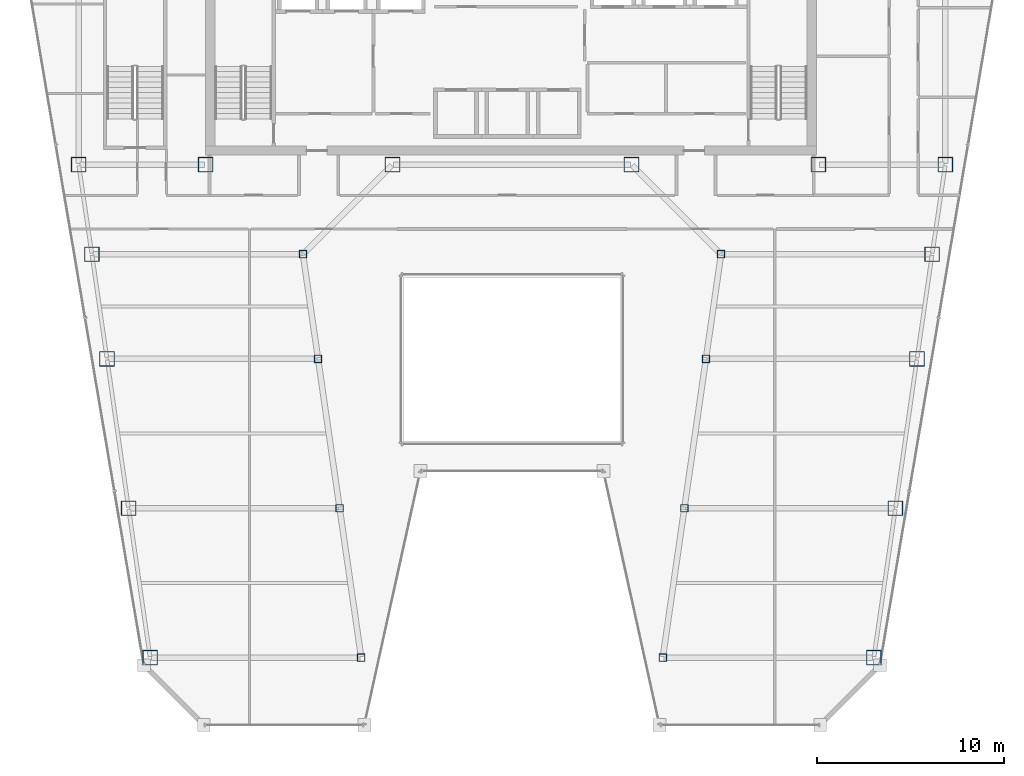
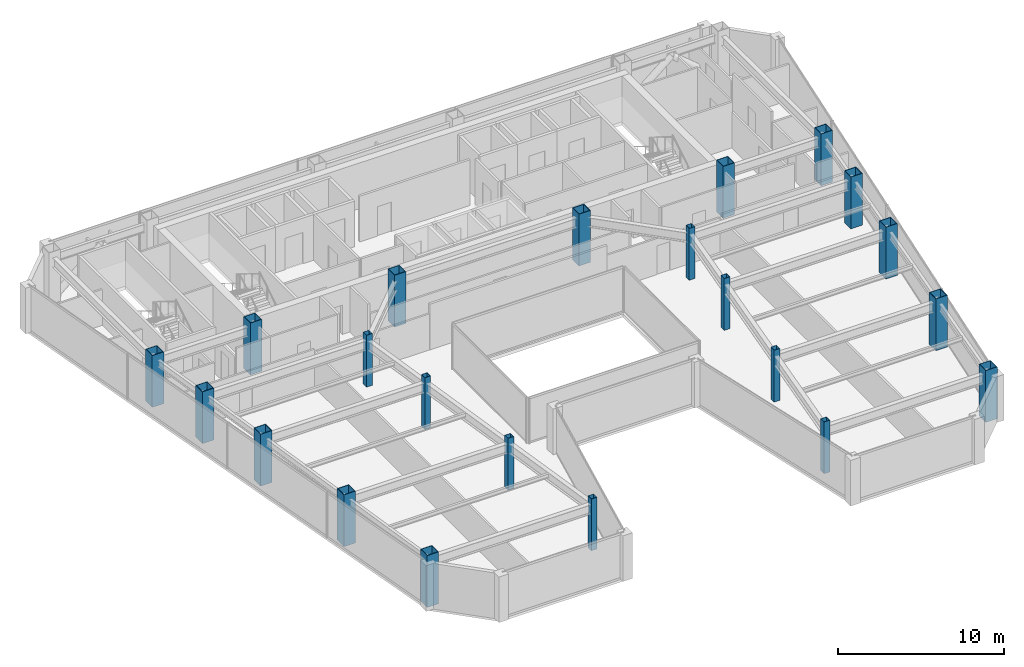
# One storey, part 1 of 34: 22 columns.
"""IFC4 building model written with IfcOpenShell, lengths in metres."""

from ifc_helpers import new_model, si_unit, direction, frame, origin, origin_2d, place, context, subcontext, project, spatial, hollow_rectangle, extrude, material, material_profile, profile_set, type_object, element, save


model = new_model("IFC4")

# Units and contexts
model_context = context("Model", 3, precision=1e-05, world=origin(), true_north=direction((0.0, 1.0)))
body_context = subcontext(model_context, "Body", "Model", "MODEL_VIEW")
ifc_project = project(units=[si_unit("LENGTHUNIT", "METRE"), si_unit("AREAUNIT", "SQUARE_METRE"), si_unit("VOLUMEUNIT", "CUBIC_METRE"), si_unit("PLANEANGLEUNIT", "RADIAN"), si_unit("MASSUNIT", "GRAM", prefix="KILO")], contexts=[model_context])

# Site, building, storey
site_placement = place(None, origin())
site = spatial("IfcSite", under=ifc_project, at=site_placement, CompositionType="ELEMENT")
building_placement = place(site_placement, origin())
building = spatial("IfcBuilding", under=site, at=building_placement, Name="Saevonmaru Cultural Tower", CompositionType="ELEMENT")
storey_placement = place(building_placement, frame((0.0, 0.0, 220.800048828125)))
storey = spatial("IfcBuildingStorey", under=building, at=storey_placement, Name="L51", CompositionType="ELEMENT", Elevation=220.800048828125)

# Columns
ifc_material_1 = material(Name="Steel SM420", Category="steel")
ifc_material_profile_1 = material_profile(ifc_material_1, hollow_rectangle(XDim=0.800048828125, YDim=0.800048828125, WallThickness=0.035888671875, at=origin_2d()), Name="BOX-800x800x36")
ifc_profile_set_1 = profile_set([ifc_material_profile_1], Name="Steel SM420")
column_type_1 = type_object("IfcColumnType", Name="COL-BOX-800", PredefinedType="COLUMN", material=ifc_profile_set_1)
for number, where, z_axis, x_axis, name in (
    (1, (6.800048828125, 42.39990234375, 0.0), (0.0, 0.0, 1.0), (1.0, 0.0, 0.0), "L51 Column TC-S1C"),
    (2, (13.60009765625, 42.39990234375, 0.0), (0.0, 0.0, 1.0), (1.0, 0.0, 0.0), "L51 Column TC-S2C"),
    (3, (23.60009765625, 42.39990234375, 0.0), (0.0, 0.0, 1.0), (1.0, 0.0, 0.0), "L51 Column TC-S3C"),
    (4, (36.39990234375, 42.39990234375, 0.0), (0.0, 0.0, 1.0), (1.0, 0.0, 0.0), "L51 Column TC-S4C"),
    (5, (46.39990234375, 42.39990234375, 0.0), (0.0, 0.0, 1.0), (1.0, 0.0, 0.0), "L51 Column TC-S5C"),
    (6, (53.199951171875, 42.39990234375, 0.0), (0.0, 0.0, 1.0), (1.0, 0.0, 0.0), "L51 Column TC-S6C"),
    (7, (10.6279296875, 16.0, 0.0), (0.0, 0.0, 1.0), (1.0, 0.0, 0.0), "L51 Column TC-WO-Y160"),
    (8, (49.3720703125, 16.0, 0.0), (0.0, 0.0, 1.0), (1.0, 0.0, 0.0), "L51 Column TC-EO-Y160"),
    (9, (9.471923828125, 24.0, 0.0), (0.0, 0.0, 1.0), (1.0, 0.0, 0.0), "L51 Column TC-WO-Y240"),
    (10, (50.528076171875, 24.0, 0.0), (0.0, 0.0, 1.0), (1.0, 0.0, 0.0), "L51 Column TC-EO-Y240"),
    (11, (8.31689453125, 32.0, 0.0), (0.0, 0.0, 1.0), (1.0, 0.0, 0.0), "L51 Column TC-WO-Y320"),
    (12, (51.68310546875, 32.0, 0.0), (0.0, 0.0, 1.0), (1.0, 0.0, 0.0), "L51 Column TC-EO-Y320"),
    (13, (7.508056640625, 37.60009765625, 0.0), (0.0, 0.0, 1.0), (1.0, 0.0, 0.0), "L51 Column TC-WO-Y376"),
    (14, (52.491943359375, 37.60009765625, 0.0), (0.0, 0.0, 1.0), (1.0, 0.0, 0.0), "L51 Column TC-EO-Y376"),
):
    element("IfcColumn", number, at=place(storey_placement, frame(where, z_axis=z_axis, x_axis=x_axis)), inside=storey, type_object=column_type_1, Name=name, PredefinedType="COLUMN", context=body_context, shape_type="SweptSolid", body=[
        extrude(hollow_rectangle(XDim=0.800048828125, YDim=0.800048828125, WallThickness=0.035888671875, at=origin_2d()), origin(), (0.0, 0.0, 1.0), 3.800048828125),
    ])
ifc_material_2 = material(Name="Steel SM355", Category="steel")
ifc_material_profile_2 = material_profile(ifc_material_2, hollow_rectangle(XDim=0.39990234375, YDim=0.39990234375, WallThickness=0.01611328125, at=origin_2d()), Name="SHS-400x400x16")
ifc_profile_set_2 = profile_set([ifc_material_profile_2], Name="Steel SM355")
column_type_2 = type_object("IfcColumnType", Name="COL-SHS-400", PredefinedType="COLUMN", material=ifc_profile_set_2)
for number, where, z_axis, x_axis, name in (
    (15, (21.927978515625, 16.0, 0.0), (0.0, 0.0, 1.0), (1.0, 0.0, 0.0), "L51 Column TC-WI-Y160"),
    (16, (38.072021484375, 16.0, 0.0), (0.0, 0.0, 1.0), (1.0, 0.0, 0.0), "L51 Column TC-EI-Y160"),
    (17, (20.77197265625, 24.0, 0.0), (0.0, 0.0, 1.0), (1.0, 0.0, 0.0), "L51 Column TC-WI-Y240"),
    (18, (39.22802734375, 24.0, 0.0), (0.0, 0.0, 1.0), (1.0, 0.0, 0.0), "L51 Column TC-EI-Y240"),
    (19, (19.616943359375, 32.0, 0.0), (0.0, 0.0, 1.0), (1.0, 0.0, 0.0), "L51 Column TC-WI-Y320"),
    (20, (40.383056640625, 32.0, 0.0), (0.0, 0.0, 1.0), (1.0, 0.0, 0.0), "L51 Column TC-EI-Y320"),
    (21, (18.80810546875, 37.60009765625, 0.0), (0.0, 0.0, 1.0), (1.0, 0.0, 0.0), "L51 Column TC-WI-Y376"),
    (22, (41.19189453125, 37.60009765625, 0.0), (0.0, 0.0, 1.0), (1.0, 0.0, 0.0), "L51 Column TC-EI-Y376"),
):
    element("IfcColumn", number, at=place(storey_placement, frame(where, z_axis=z_axis, x_axis=x_axis)), inside=storey, type_object=column_type_2, Name=name, PredefinedType="COLUMN", context=body_context, shape_type="SweptSolid", body=[
        extrude(hollow_rectangle(XDim=0.39990234375, YDim=0.39990234375, WallThickness=0.01611328125, at=origin_2d()), origin(), (0.0, 0.0, 1.0), 3.800048828125),
    ])

save(model, "model.ifc")
